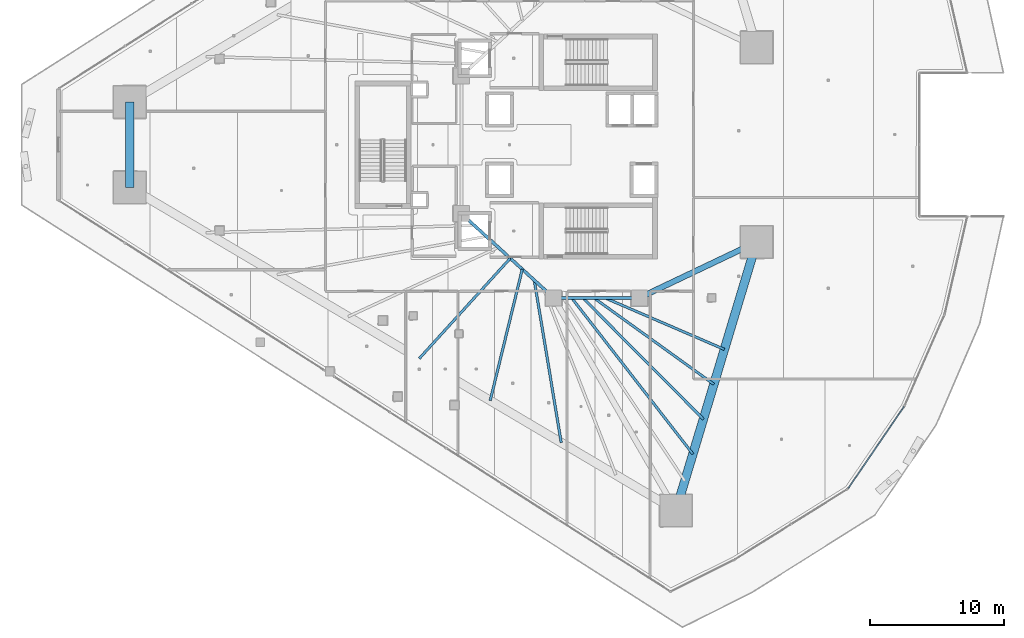
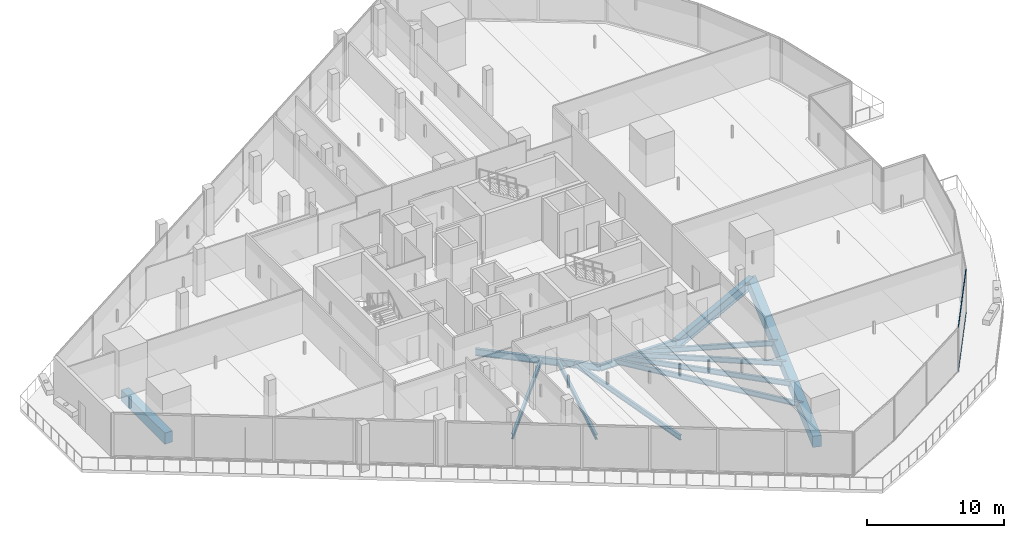
# One storey, part 11 of 44: 12 beams, 2 members, 1 element without a shape of its own.
"""IFC4 building model written with IfcOpenShell, lengths in metres."""

from ifc_helpers import new_model, si_unit, direction, frame, origin, origin_2d, place, context, subcontext, project, spatial, rectangle, hollow_rectangle, i_section, extrude, material, layer, layer_set, material_profile, profile_set, type_object, element, aggregate, save


model = new_model("IFC4")

# Units and contexts
model_context = context("Model", 3, precision=1e-05, world=origin(), true_north=direction((0.0, 1.0)))
body_context = subcontext(model_context, "Body", "Model", "MODEL_VIEW")
ifc_project = project(units=[si_unit("LENGTHUNIT", "METRE"), si_unit("AREAUNIT", "SQUARE_METRE"), si_unit("VOLUMEUNIT", "CUBIC_METRE"), si_unit("PLANEANGLEUNIT", "RADIAN"), si_unit("MASSUNIT", "GRAM", prefix="KILO")], contexts=[model_context])

# Site, building, storey
site_placement = place(None, origin())
site = spatial("IfcSite", under=ifc_project, at=site_placement, CompositionType="ELEMENT")
building_placement = place(site_placement, origin())
building = spatial("IfcBuilding", under=site, at=building_placement, Name="Qorvath Tower", CompositionType="ELEMENT")
storey_placement = place(building_placement, frame((0.0, 0.0, 45.0)))
storey = spatial("IfcBuildingStorey", under=building, at=storey_placement, Name="L09", CompositionType="ELEMENT", Elevation=45.0)

# Beams
ifc_material_1 = material(Name="Steel ASTM A992 Grade 50", Category="steel")
ifc_material_profile_1 = material_profile(ifc_material_1, i_section(OverallWidth=0.422119140625, OverallDepth=0.93310546875, WebThickness=0.021240234375, FlangeThickness=0.039794921875, FilletRadius=0.02392578125, at=origin_2d()), Name="W36x262")
ifc_profile_set_1 = profile_set([ifc_material_profile_1], Name="Steel ASTM A992 Grade 50")
beam_type_1 = type_object("IfcBeamType", Name="BM-FG1", PredefinedType="BEAM", material=ifc_profile_set_1)
beam_1_placement = place(storey_placement, frame((-17.199951171875, -11.449951171875, -0.74658203125), z_axis=(0.902955751435, 0.429733534821, 0.0), x_axis=(-0.429733534821, 0.902955751435, 0.0)))
element("IfcBeam", 1, at=beam_1_placement, inside=storey, type_object=beam_type_1, Name="Radial Floor Girder CC3-MC4 L09", PredefinedType="BEAM", context=body_context, shape_type="SweptSolid", body=[
    extrude(i_section(OverallWidth=0.422119140625, OverallDepth=0.93310546875, WebThickness=0.021240234375, FlangeThickness=0.039794921875, FilletRadius=0.02392578125, at=origin_2d()), origin(), (0.0, 0.0, 1.0), 9.7119140625),
])
ifc_material_2 = material(Name="Steel ASTM A992 Grade 50", Category="steel")
ifc_material_profile_2 = material_profile(ifc_material_2, i_section(OverallWidth=0.22998046875, OverallDepth=0.616943359375, WebThickness=0.01318359375, FlangeThickness=0.022216796875, FilletRadius=0.014892578125, at=origin_2d()), Name="W24x94")
ifc_profile_set_2 = profile_set([ifc_material_profile_2], Name="Steel ASTM A992 Grade 50")
beam_type_2 = type_object("IfcBeamType", Name="BM-FG6", PredefinedType="BEAM", material=ifc_profile_set_2)
beam_2_placement = place(storey_placement, frame((-17.199951171875, -11.449951171875, -0.58837890625), z_axis=(-1.0, 0.0, 0.0), x_axis=(0.0, -1.0, 0.0)))
element("IfcBeam", 2, at=beam_2_placement, inside=storey, type_object=beam_type_2, Name="Core Ring Girder CC3-CC4 L09", PredefinedType="BEAM", context=body_context, shape_type="SweptSolid", body=[
    extrude(i_section(OverallWidth=0.22998046875, OverallDepth=0.616943359375, WebThickness=0.01318359375, FlangeThickness=0.022216796875, FilletRadius=0.014892578125, at=origin_2d()), origin(), (0.0, 0.0, 1.0), 6.400146484375),
])
beam_3_placement = place(storey_placement, frame((-23.60009765625, -11.449951171875, -0.58837890625), z_axis=(-0.73847813985, 0.6742774184, 0.0), x_axis=(-0.6742774184, -0.73847813985, 0.0)))
element("IfcBeam", 3, at=beam_3_placement, inside=storey, type_object=beam_type_2, Name="Core Ring Girder CC4-CC6 L09", PredefinedType="BEAM", context=body_context, shape_type="SweptSolid", body=[
    extrude(i_section(OverallWidth=0.22998046875, OverallDepth=0.616943359375, WebThickness=0.01318359375, FlangeThickness=0.022216796875, FilletRadius=0.014892578125, at=origin_2d()), origin(), (0.0, 0.0, 1.0), 9.343505859375),
])
ifc_material_3 = material(Name="Steel ASTM A992 Grade 50", Category="steel")
ifc_material_profile_3 = material_profile(ifc_material_3, i_section(OverallWidth=0.18994140625, OverallDepth=0.45703125, WebThickness=0.009033203125, FlangeThickness=0.014404296875, FilletRadius=0.011962890625, at=origin_2d()), Name="W18x50")
ifc_profile_set_3 = profile_set([ifc_material_profile_3], Name="Steel ASTM A992 Grade 50")
beam_type_3 = type_object("IfcBeamType", Name="BM-FJ2", PredefinedType="JOIST", material=ifc_profile_set_3)
beam_4_placement = place(storey_placement, frame((-19.760009765625, -11.449951171875, -0.508544921875), z_axis=(0.918135537923, -0.396266493667, 0.0), x_axis=(0.396266493667, 0.918135537923, 0.0)))
element("IfcBeam", 4, at=beam_4_placement, inside=storey, type_object=beam_type_3, Name="Composite Floor Joist SE3 L09", PredefinedType="JOIST", context=body_context, shape_type="SweptSolid", body=[
    extrude(i_section(OverallWidth=0.18994140625, OverallDepth=0.45703125, WebThickness=0.009033203125, FlangeThickness=0.014404296875, FilletRadius=0.011962890625, at=origin_2d()), origin(), (0.0, 0.0, 1.0), 9.7109375),
])
beam_5_placement = place(storey_placement, frame((-20.592041015625, -11.449951171875, -0.508544921875), z_axis=(0.811469358397, -0.584394969505, 0.0), x_axis=(0.584394969505, 0.811469358397, 0.0)))
element("IfcBeam", 5, at=beam_5_placement, inside=storey, type_object=beam_type_3, Name="Composite Floor Joist SE4 L09", PredefinedType="JOIST", context=body_context, shape_type="SweptSolid", body=[
    extrude(i_section(OverallWidth=0.18994140625, OverallDepth=0.45703125, WebThickness=0.009033203125, FlangeThickness=0.014404296875, FilletRadius=0.011962890625, at=origin_2d()), origin(), (0.0, 0.0, 1.0), 11.046142578125),
])
beam_6_placement = place(storey_placement, frame((-21.424072265625, -11.449951171875, -0.508544921875), z_axis=(0.705107654599, -0.709100271771, 0.0), x_axis=(0.709100271771, 0.705107654599, 0.0)))
element("IfcBeam", 6, at=beam_6_placement, inside=storey, type_object=beam_type_3, Name="Composite Floor Joist SE5 L09", PredefinedType="JOIST", context=body_context, shape_type="SweptSolid", body=[
    extrude(i_section(OverallWidth=0.18994140625, OverallDepth=0.45703125, WebThickness=0.009033203125, FlangeThickness=0.014404296875, FilletRadius=0.011962890625, at=origin_2d()), origin(), (0.0, 0.0, 1.0), 12.780029296875),
])
beam_7_placement = place(storey_placement, frame((-22.256103515625, -11.449951171875, -0.508544921875), z_axis=(0.613206963859, -0.789922286984, 0.0), x_axis=(0.789922286984, 0.613206963859, 0.0)))
element("IfcBeam", 7, at=beam_7_placement, inside=storey, type_object=beam_type_3, Name="Composite Floor Joist SE6 L09", PredefinedType="JOIST", context=body_context, shape_type="SweptSolid", body=[
    extrude(i_section(OverallWidth=0.18994140625, OverallDepth=0.45703125, WebThickness=0.009033203125, FlangeThickness=0.014404296875, FilletRadius=0.011962890625, at=origin_2d()), origin(), (0.0, 0.0, 1.0), 14.77294921875),
])
beam_8_placement = place(storey_placement, frame((-26.843017578125, -8.489013671875, -0.508544921875), z_axis=(-0.672128980215, -0.740434084815, 0.0), x_axis=(0.740434084815, -0.672128980215, 0.0)))
element("IfcBeam", 8, at=beam_8_placement, inside=storey, type_object=beam_type_3, Name="Composite Floor Joist SW4 L09", PredefinedType="JOIST", context=body_context, shape_type="SweptSolid", body=[
    extrude(i_section(OverallWidth=0.18994140625, OverallDepth=0.45703125, WebThickness=0.009033203125, FlangeThickness=0.014404296875, FilletRadius=0.011962890625, at=origin_2d()), origin(), (0.0, 0.0, 1.0), 10.1259765625),
])
beam_9_placement = place(storey_placement, frame((-25.946044921875, -9.30810546875, -0.508544921875), z_axis=(-0.237165308581, -0.97146930801, 0.0), x_axis=(0.97146930801, -0.237165308581, 0.0)))
element("IfcBeam", 9, at=beam_9_placement, inside=storey, type_object=beam_type_3, Name="Composite Floor Joist SW5 L09", PredefinedType="JOIST", context=body_context, shape_type="SweptSolid", body=[
    extrude(i_section(OverallWidth=0.18994140625, OverallDepth=0.45703125, WebThickness=0.009033203125, FlangeThickness=0.014404296875, FilletRadius=0.011962890625, at=origin_2d()), origin(), (0.0, 0.0, 1.0), 10.104736328125),
])
beam_10_placement = place(storey_placement, frame((-25.049072265625, -10.126953125, -0.508544921875), z_axis=(0.163639384475, -0.98652022374, 0.0), x_axis=(0.98652022374, 0.163639384475, 0.0)))
element("IfcBeam", 10, at=beam_10_placement, inside=storey, type_object=beam_type_3, Name="Composite Floor Joist SW6 L09", PredefinedType="JOIST", context=body_context, shape_type="SweptSolid", body=[
    extrude(i_section(OverallWidth=0.18994140625, OverallDepth=0.45703125, WebThickness=0.009033203125, FlangeThickness=0.014404296875, FilletRadius=0.011962890625, at=origin_2d()), origin(), (0.0, 0.0, 1.0), 12.301025390625),
])
ifc_material_4 = material(Name="Concrete C50/60", Category="concrete")
ifc_material_profile_4 = material_profile(ifc_material_4, rectangle(XDim=0.64990234375, YDim=1.0, at=origin_2d()), Name="RCB 1000x650")
ifc_profile_set_4 = profile_set([ifc_material_profile_4], Name="Concrete C50/60")
beam_type_4 = type_object("IfcBeamType", Name="BM-RCB1", PredefinedType="SPANDREL", material=ifc_profile_set_4)
beam_11_placement = place(storey_placement, frame((-55.282958984375, 3.194580078125, -0.780029296875), z_axis=(0.0, -1.0, 0.0), x_axis=(1.0, 0.0, 0.0)))
element("IfcBeam", 11, at=beam_11_placement, inside=storey, type_object=beam_type_4, Name="Perimeter Loggia Frame Beam MC1-MC2 L09", PredefinedType="SPANDREL", context=body_context, shape_type="SweptSolid", body=[
    extrude(rectangle(XDim=0.64990234375, YDim=1.0, at=origin_2d()), origin(), (0.0, 0.0, 1.0), 6.38916015625),
])
beam_12_placement = place(storey_placement, frame((-14.46435546875, -27.330810546875, -0.780029296875), z_axis=(0.288118908799, 0.957594639914, 0.0), x_axis=(-0.957594639914, 0.288118908799, 0.0)))
element("IfcBeam", 12, at=beam_12_placement, inside=storey, type_object=beam_type_4, Name="Perimeter Loggia Frame Beam MC3-MC4 L09", PredefinedType="SPANDREL", context=body_context, shape_type="SweptSolid", body=[
    extrude(rectangle(XDim=0.64990234375, YDim=1.0, at=origin_2d()), origin(), (0.0, 0.0, 1.0), 20.942626953125),
])

# Curtain wall, members
ifc_material_5 = material(Name="Anodised aluminium and triple low-E glass", Category="aluminium")
ifc_layer = layer(ifc_material_5, 0.179931640625)
ifc_layer_set = layer_set([ifc_layer], Name="CW-SYS-2")
curtain_wall_type = type_object("IfcCurtainWallType", Name="CW-SYS-2", PredefinedType="NOTDEFINED", material=ifc_layer_set)
curtain_wall_placement = place(storey_placement, origin())
curtain_wall = element("IfcCurtainWall", 13, at=curtain_wall_placement, inside=storey, type_object=curtain_wall_type, Name="Curtain Wall CW-2 CW-T-L09-5.1", PredefinedType="NOTDEFINED")
ifc_material_6 = material(Name="Anodised aluminium 6063-T6", Category="aluminium")
ifc_material_profile_5 = material_profile(ifc_material_6, hollow_rectangle(XDim=0.06494140625, YDim=0.159912109375, WallThickness=0.00341796875, InnerFilletRadius=0.00341796875, OuterFilletRadius=0.007080078125, at=origin_2d()), Name="CWT 160x65")
ifc_profile_set_5 = profile_set([ifc_material_profile_5], Name="Anodised aluminium 6063-T6")
member_type = type_object("IfcMemberType", Name="CWT-160", PredefinedType="USERDEFINED", material=ifc_profile_set_5)
member_1_placement = place(storey_placement, frame((-1.567626953125, -25.6669921875, 0.032470703125), z_axis=(0.56390431925, 0.825840129039, 0.0), x_axis=(-0.825840129039, 0.56390431925, 0.0)))
member_1 = element("IfcMember", 14, at=member_1_placement, type_object=member_type, Name="CW-2 transom 1.1", ObjectType="TRANSOM", PredefinedType="USERDEFINED", context=body_context, shape_type="SweptSolid", body=[
    extrude(hollow_rectangle(XDim=0.06494140625, YDim=0.159912109375, WallThickness=0.00341796875, InnerFilletRadius=0.00341796875, OuterFilletRadius=0.007080078125, at=origin_2d()), origin(), (0.0, 0.0, 1.0), 7.366943359375),
])
member_2_placement = place(storey_placement, frame((-1.567626953125, -25.6669921875, 3.887451171875), z_axis=(0.56390431925, 0.825840129039, 0.0), x_axis=(-0.825840129039, 0.56390431925, 0.0)))
member_2 = element("IfcMember", 15, at=member_2_placement, type_object=member_type, Name="CW-2 transom 1.2", ObjectType="TRANSOM", PredefinedType="USERDEFINED", context=body_context, shape_type="SweptSolid", body=[
    extrude(hollow_rectangle(XDim=0.06494140625, YDim=0.159912109375, WallThickness=0.00341796875, InnerFilletRadius=0.00341796875, OuterFilletRadius=0.007080078125, at=origin_2d()), origin(), (0.0, 0.0, 1.0), 7.366943359375),
])
aggregate(curtain_wall, [member_1, member_2])

save(model, "model.ifc")
